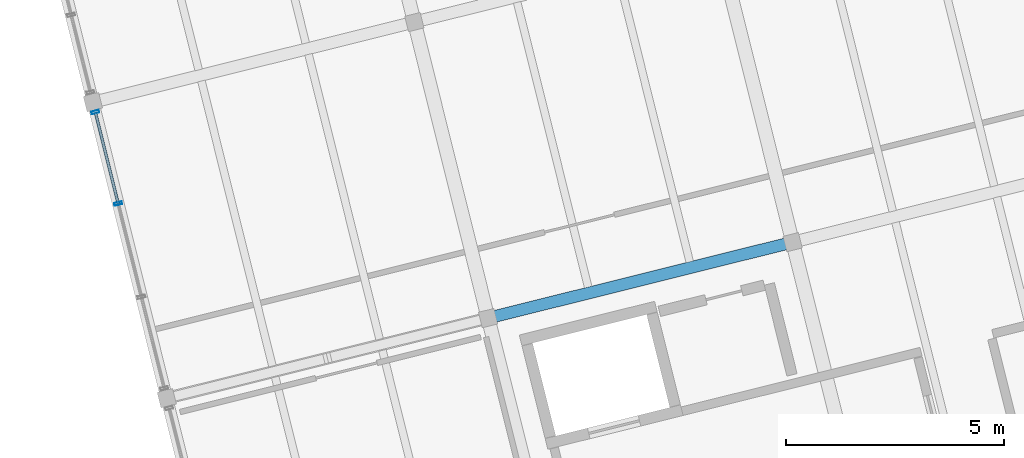
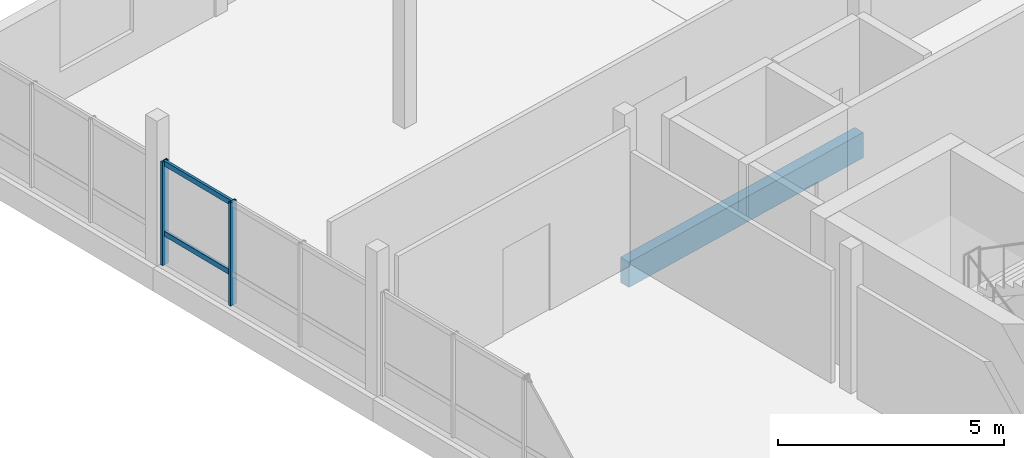
# One storey, part 8 of 28: 4 members, 1 beam, 1 element without a shape of its own.
"""IFC4 building model written with IfcOpenShell, lengths in metres."""

from ifc_helpers import new_model, si_unit, direction, frame, origin, origin_2d, place, context, subcontext, project, spatial, rectangle, hollow_rectangle, extrude, material, layer, layer_set, material_profile, profile_set, type_object, element, aggregate, save


model = new_model("IFC4")

# Units and contexts
model_context = context("Model", 3, precision=1e-05, world=origin(), true_north=direction((0.0, 1.0)))
body_context = subcontext(model_context, "Body", "Model", "MODEL_VIEW")
ifc_project = project(units=[si_unit("LENGTHUNIT", "METRE"), si_unit("AREAUNIT", "SQUARE_METRE"), si_unit("VOLUMEUNIT", "CUBIC_METRE"), si_unit("PLANEANGLEUNIT", "RADIAN"), si_unit("MASSUNIT", "GRAM", prefix="KILO")], contexts=[model_context])

# Site, building, storey
site_placement = place(None, origin())
site = spatial("IfcSite", under=ifc_project, at=site_placement, CompositionType="ELEMENT")
building_placement = place(site_placement, origin())
building = spatial("IfcBuilding", under=site, at=building_placement, Name="Meriwether Solvik Hall", CompositionType="ELEMENT")
storey_placement = place(building_placement, frame((0.0, 0.0, 37.800048828125)))
storey = spatial("IfcBuildingStorey", under=building, at=storey_placement, Name="L09", CompositionType="ELEMENT", Elevation=37.800048828125)

# Beam
ifc_material_1 = material(Name="Glulam Douglas-Fir 24F-V8 GL28h", Category="wood")
ifc_material_profile_1 = material_profile(ifc_material_1, rectangle(XDim=0.27294921875, YDim=0.68505859375, at=origin_2d()), Name="GLB-273X685")
ifc_profile_set_1 = profile_set([ifc_material_profile_1], Name="Glulam Douglas-Fir 24F-V8 GL28h")
beam_type = type_object("IfcBeamType", Name="BM-GL-273X685", PredefinedType="BEAM", material=ifc_profile_set_1)
beam_placement = place(storey_placement, frame((70.893798828125, 63.414794921875, -0.5224609375), z_axis=(0.970293896644, 0.241929233735, 0.0), x_axis=(-0.241929233735, 0.970293896644, 0.0)))
element("IfcBeam", 1, at=beam_placement, inside=storey, type_object=beam_type, Name="Tower Girder TD:T2-T3 (L09)", PredefinedType="BEAM", context=body_context, shape_type="SweptSolid", body=[
    extrude(rectangle(XDim=0.27294921875, YDim=0.68505859375, at=origin_2d()), origin(), (0.0, 0.0, 1.0), 7.2001953125),
])

# Curtain wall, members
ifc_material_2 = material(Name="Thermally Broken Anodised Aluminium 6063-T6 and Low-E Glass", Category="aluminium")
ifc_layer = layer(ifc_material_2, 0.179931640625)
ifc_layer_set = layer_set([ifc_layer], Name="Thermally Broken Anodised Aluminium 6063-T6 and Low-E Glass")
curtain_wall_type = type_object("IfcCurtainWallType", Name="CW-UNIT-C", PredefinedType="USERDEFINED", material=ifc_layer_set)
curtain_wall_placement = place(storey_placement, origin())
curtain_wall = element("IfcCurtainWall", 2, at=curtain_wall_placement, inside=storey, type_object=curtain_wall_type, Name="Curtain Wall E7_B3 (L09)", ObjectType="UNITISED CURTAIN WALL", PredefinedType="USERDEFINED")
ifc_material_3 = material(Name="Anodised Aluminium 6063-T6", Category="aluminium")
ifc_material_profile_2 = material_profile(ifc_material_3, hollow_rectangle(XDim=0.06494140625, YDim=0.179931640625, WallThickness=0.00439453125, at=origin_2d()), Name="CWM-65X180")
ifc_profile_set_2 = profile_set([ifc_material_profile_2], Name="Anodised Aluminium 6063-T6")
member_type_1 = type_object("IfcMemberType", Name="CW-MUL-65X180", PredefinedType="MULLION", material=ifc_profile_set_2)
member_1_placement = place(storey_placement, frame((62.40625, 66.041259765625, 0.0), z_axis=(0.0, 0.0, 1.0), x_axis=(-0.241921804422, 0.970295749009, 0.0)))
member_1 = element("IfcMember", 3, at=member_1_placement, type_object=member_type_1, Name="Curtain Wall Mullion 3", PredefinedType="MULLION", context=body_context, shape_type="SweptSolid", body=[
    extrude(hollow_rectangle(XDim=0.06494140625, YDim=0.179931640625, WallThickness=0.00439453125, at=origin_2d()), origin(), (0.0, 0.0, 1.0), 2.7900390625),
])
member_2_placement = place(storey_placement, frame((61.88232421875, 68.142578125, 0.0), z_axis=(0.0, 0.0, 1.0), x_axis=(-0.241921804422, 0.970295749009, 0.0)))
member_2 = element("IfcMember", 4, at=member_2_placement, type_object=member_type_1, Name="Curtain Wall Mullion 4", PredefinedType="MULLION", context=body_context, shape_type="SweptSolid", body=[
    extrude(hollow_rectangle(XDim=0.06494140625, YDim=0.179931640625, WallThickness=0.00439453125, at=origin_2d()), origin(), (0.0, 0.0, 1.0), 2.7900390625),
])
ifc_material_4 = material(Name="Anodised Aluminium 6063-T6", Category="aluminium")
ifc_material_profile_3 = material_profile(ifc_material_4, hollow_rectangle(XDim=0.06494140625, YDim=0.139892578125, WallThickness=0.00439453125, at=origin_2d()), Name="CWT-65X140")
ifc_profile_set_3 = profile_set([ifc_material_profile_3], Name="Anodised Aluminium 6063-T6")
member_type_2 = type_object("IfcMemberType", Name="CW-TRN-65X140", PredefinedType="USERDEFINED", material=ifc_profile_set_3)
member_3_placement = place(storey_placement, frame((62.40625, 66.041259765625, 0.8369140625), z_axis=(-0.241925491414, 0.970294829732, 0.0), x_axis=(-0.970294829732, -0.241925491414, 0.0)))
member_3 = element("IfcMember", 5, at=member_3_placement, type_object=member_type_2, Name="Curtain Wall Transom 3-sill", ObjectType="TRANSOM", PredefinedType="USERDEFINED", context=body_context, shape_type="SweptSolid", body=[
    extrude(hollow_rectangle(XDim=0.06494140625, YDim=0.139892578125, WallThickness=0.00439453125, at=origin_2d()), origin(), (0.0, 0.0, 1.0), 2.16552734375),
])
member_4_placement = place(storey_placement, frame((62.40625, 66.041259765625, 2.72998046875), z_axis=(-0.241925491414, 0.970294829732, 0.0), x_axis=(-0.970294829732, -0.241925491414, 0.0)))
member_4 = element("IfcMember", 6, at=member_4_placement, type_object=member_type_2, Name="Curtain Wall Transom 3-head", ObjectType="TRANSOM", PredefinedType="USERDEFINED", context=body_context, shape_type="SweptSolid", body=[
    extrude(hollow_rectangle(XDim=0.06494140625, YDim=0.139892578125, WallThickness=0.00439453125, at=origin_2d()), origin(), (0.0, 0.0, 1.0), 2.16552734375),
])
aggregate(curtain_wall, [member_1, member_2, member_3, member_4])

save(model, "model.ifc")
